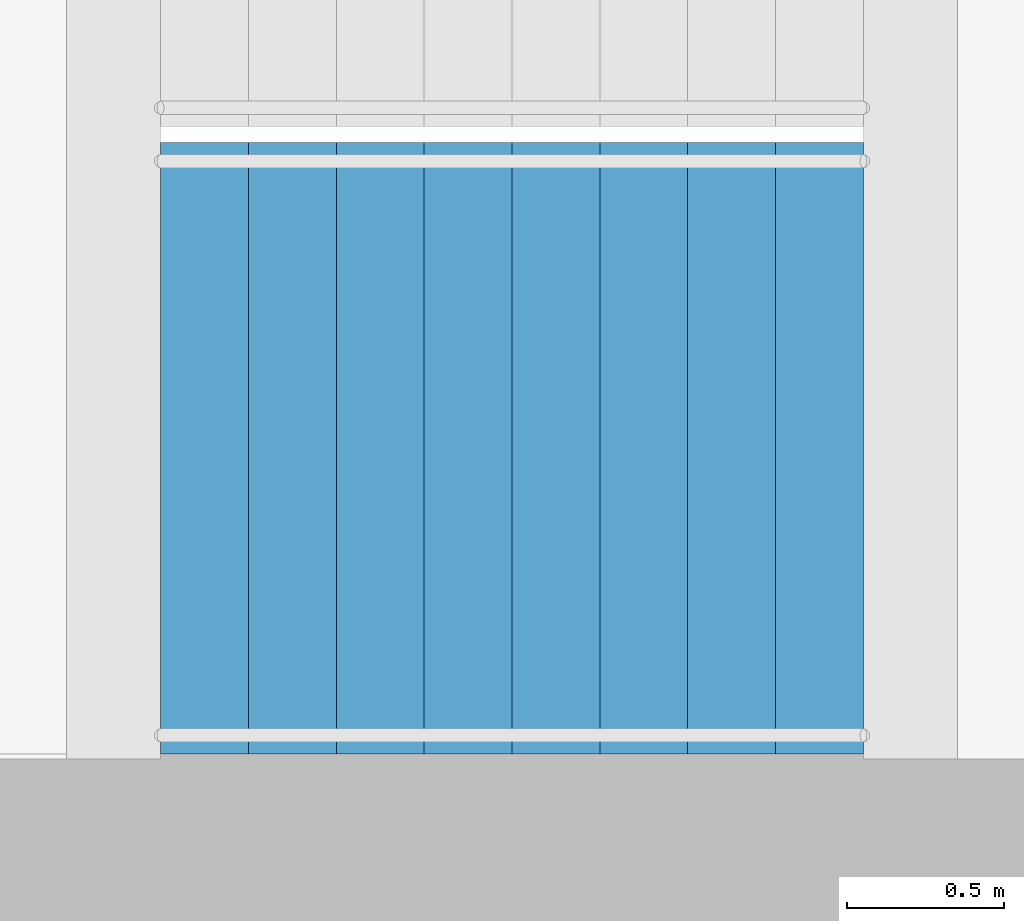
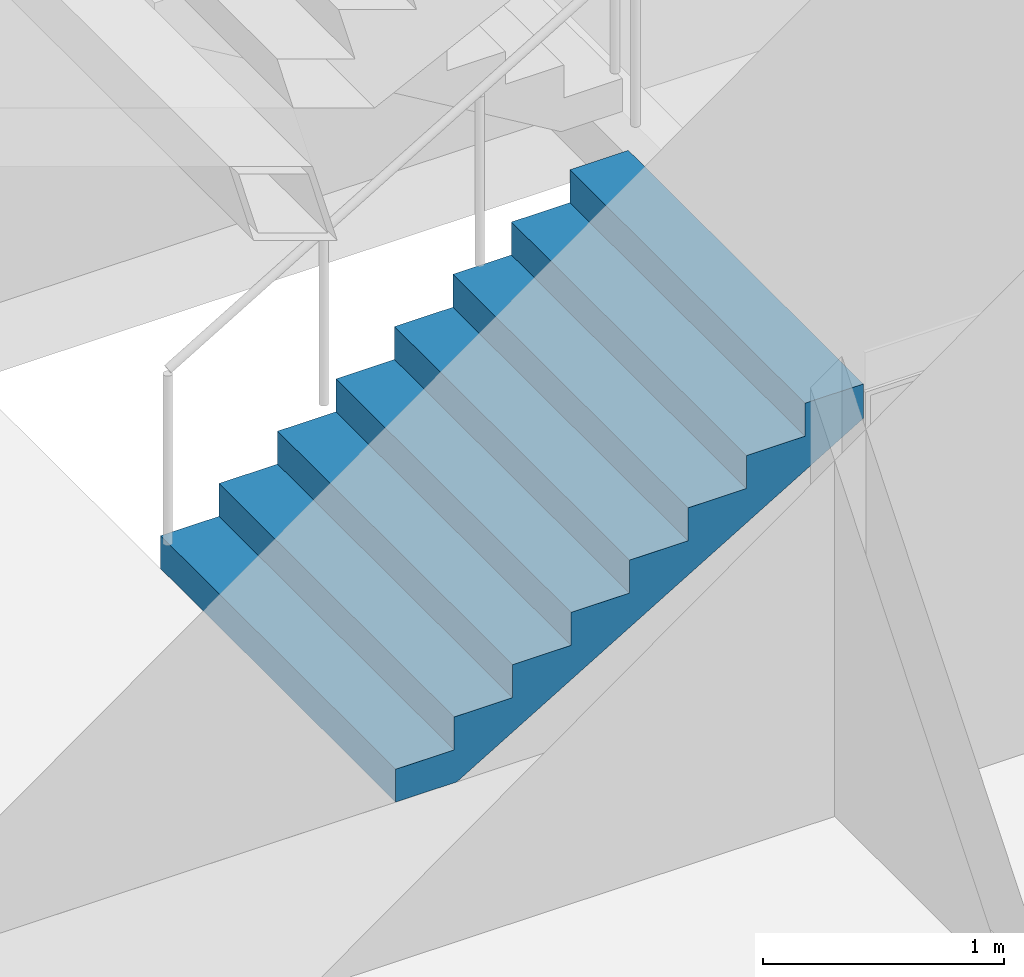
# One storey, part 23 of 57: 1 stair flight, 1 element without a shape of its own.
"""IFC4 building model written with IfcOpenShell, lengths in metres."""

from ifc_helpers import new_model, si_unit, direction, frame, origin, place, context, subcontext, project, spatial, triangles, material, type_object, element, aggregate, save


model = new_model("IFC4")

# Units and contexts
model_context = context("Model", 3, precision=1e-05, world=origin(), true_north=direction((0.0, 1.0)))
body_context = subcontext(model_context, "Body", "Model", "MODEL_VIEW")
ifc_project = project(units=[si_unit("LENGTHUNIT", "METRE"), si_unit("AREAUNIT", "SQUARE_METRE"), si_unit("VOLUMEUNIT", "CUBIC_METRE"), si_unit("PLANEANGLEUNIT", "RADIAN"), si_unit("MASSUNIT", "GRAM", prefix="KILO")], contexts=[model_context])

# Site, building, storey
site_placement = place(None, origin())
site = spatial("IfcSite", under=ifc_project, at=site_placement, CompositionType="ELEMENT")
building_placement = place(site_placement, origin())
building = spatial("IfcBuilding", under=site, at=building_placement, Name="Orbita Commons", CompositionType="ELEMENT")
storey_placement = place(building_placement, origin())
storey = spatial("IfcBuildingStorey", under=building, at=storey_placement, Name="L00", CompositionType="ELEMENT", Elevation=0.0)

# Stair, stair flight
ifc_material_1 = material(Name="Precast concrete C40/50", Category="concrete")
stair_type = type_object("IfcStairType", Name="Exit stair S1 4 flights 9 risers 167", PredefinedType="HALF_TURN_STAIR", material=ifc_material_1)
stair_placement = place(storey_placement, origin())
stair = element("IfcStair", 1, at=stair_placement, inside=storey, type_object=stair_type, Name="Exit stair S1 L00", PredefinedType="HALF_TURN_STAIR")
ifc_material_2 = material(Name="Precast concrete C40/50", Category="concrete")
stair_flight_type = type_object("IfcStairFlightType", Name="Stair flight 9 risers 167 x 280", PredefinedType="STRAIGHT", material=ifc_material_2)
stair_flight_placement = place(storey_placement, frame((20.449951171875, 27.27490234375, 0.0), z_axis=(0.0, 0.0, 1.0), x_axis=(1.0, 0.0, 0.0)))
stair_flight = element("IfcStairFlight", 2, at=stair_flight_placement, type_object=stair_flight_type, Name="S1 flight 1", NumberOfRisers=9, NumberOfTreads=8, PredefinedType="STRAIGHT", RiserHeight=0.166666667, TreadLength=0.28, context=body_context, shape_type="Tessellation", body=[
    triangles([(0.0, 0.974976, 0.0), (0.0, 0.974976, 0.020833), (0.0, 0.81248, 0.020833), (0.0, 0.81248, 0.0), (0.0, 0.649984, 0.020833), (0.0, 0.649984, 0.0), (0.0, 0.487488, 0.020833), (0.0, 0.487488, 0.0), (0.0, 0.324992, 0.020833), (0.0, 0.324992, 0.0), (0.0, 0.162496, 0.020833), (0.0, 0.162496, 0.0), (0.0, 0.0, 0.020833), (0.0, 0.0, 0.0), (0.0, -0.162496, 0.020833), (0.0, -0.162496, 0.0), (0.0, -0.324992, 0.020833), (0.0, -0.324992, 0.0), (0.0, -0.487488, 0.020833), (0.0, -0.487488, 0.0), (0.0, -0.649984, 0.020833), (0.0, -0.649984, 0.0), (0.0, -0.81248, 0.020833), (0.0, -0.81248, 0.0), (0.0, -0.974976, 0.020833), (0.0, -0.974976, 0.0), (0.0, 0.974976, 0.041667), (0.0, 0.81248, 0.041667), (0.0, 0.649984, 0.041667), (0.0, 0.487488, 0.041667), (0.0, 0.324992, 0.041667), (0.0, 0.162496, 0.041667), (0.0, 0.0, 0.041667), (0.0, -0.162496, 0.041667), (0.0, -0.324992, 0.041667), (0.0, -0.487488, 0.041667), (0.0, -0.649984, 0.041667), (0.0, -0.81248, 0.041667), (0.0, -0.974976, 0.041667), (0.0, 0.974976, 0.0625), (0.0, 0.81248, 0.0625), (0.0, 0.649984, 0.0625), (0.0, 0.487488, 0.0625), (0.0, 0.324992, 0.0625), (0.0, 0.162496, 0.0625), (0.0, 0.0, 0.0625), (0.0, -0.162496, 0.0625), (0.0, -0.324992, 0.0625), (0.0, -0.487488, 0.0625), (0.0, -0.649984, 0.0625), (0.0, -0.81248, 0.0625), (0.0, -0.974976, 0.0625), (0.0, 0.974976, 0.083333), (0.0, 0.81248, 0.083333), (0.0, 0.649984, 0.083333), (0.0, 0.487488, 0.083333), (0.0, 0.324992, 0.083333), (0.0, 0.162496, 0.083333), (0.0, 0.0, 0.083333), (0.0, -0.162496, 0.083333), (0.0, -0.324992, 0.083333), (0.0, -0.487488, 0.083333), (0.0, -0.649984, 0.083333), (0.0, -0.81248, 0.083333), (0.0, -0.974976, 0.083333), (0.0, 0.974976, 0.104167), (0.0, 0.81248, 0.104167), (0.0, 0.649984, 0.104167), (0.0, 0.487488, 0.104167), (0.0, 0.324992, 0.104167), (0.0, 0.162496, 0.104167), (0.0, 0.0, 0.104167), (0.0, -0.162496, 0.104167), (0.0, -0.324992, 0.104167), (0.0, -0.487488, 0.104167), (0.0, -0.649984, 0.104167), (0.0, -0.81248, 0.104167), (0.0, -0.974976, 0.104167), (0.0, 0.974976, 0.125), (0.0, 0.81248, 0.125), (0.0, 0.649984, 0.125), (0.0, 0.487488, 0.125), (0.0, 0.324992, 0.125), (0.0, 0.162496, 0.125), (0.0, 0.0, 0.125), (0.0, -0.162496, 0.125), (0.0, -0.324992, 0.125), (0.0, -0.487488, 0.125), (0.0, -0.649984, 0.125), (0.0, -0.81248, 0.125), (0.0, -0.974976, 0.125), (0.0, 0.974976, 0.145833), (0.0, 0.81248, 0.145833), (0.0, 0.649984, 0.145833), (0.0, 0.487488, 0.145833), (0.0, 0.324992, 0.145833), (0.0, 0.162496, 0.145833), (0.0, 0.0, 0.145833), (0.0, -0.162496, 0.145833), (0.0, -0.324992, 0.145833), (0.0, -0.487488, 0.145833), (0.0, -0.649984, 0.145833), (0.0, -0.81248, 0.145833), (0.0, -0.974976, 0.145833), (0.0, 0.974976, 0.166667), (0.0, 0.81248, 0.166667), (0.0, 0.649984, 0.166667), (0.0, 0.487488, 0.166667), (0.0, 0.324992, 0.166667), (0.0, 0.162496, 0.166667), (0.0, 0.0, 0.166667), (0.0, -0.162496, 0.166667), (0.0, -0.324992, 0.166667), (0.0, -0.487488, 0.166667), (0.0, -0.649984, 0.166667), (0.0, -0.81248, 0.166667), (0.0, -0.974976, 0.166667), (0.28, 0.974976, 0.166667), (0.28, 0.81248, 0.166667), (0.28, 0.649984, 0.166667), (0.28, 0.487488, 0.166667), (0.28, 0.324992, 0.166667), (0.28, 0.162496, 0.166667), (0.28, 0.0, 0.166667), (0.28, -0.162496, 0.166667), (0.28, -0.324992, 0.166667), (0.28, -0.487488, 0.166667), (0.28, -0.649984, 0.166667), (0.28, -0.81248, 0.166667), (0.28, -0.974976, 0.166667), (0.28, 0.974976, 0.333333), (0.28, 0.81248, 0.333333), (0.28, 0.649984, 0.333333), (0.28, 0.487488, 0.333333), (0.28, 0.324992, 0.333333), (0.28, 0.162496, 0.333333), (0.28, 0.0, 0.333333), (0.28, -0.162496, 0.333333), (0.28, -0.324992, 0.333333), (0.28, -0.487488, 0.333333), (0.28, -0.649984, 0.333333), (0.28, -0.81248, 0.333333), (0.28, -0.974976, 0.333333), (0.56, 0.974976, 0.333333), (0.56, 0.81248, 0.333333), (0.56, 0.649984, 0.333333), (0.56, 0.487488, 0.333333), (0.56, 0.324992, 0.333333), (0.56, 0.162496, 0.333333), (0.56, 0.0, 0.333333), (0.56, -0.162496, 0.333333), (0.56, -0.324992, 0.333333), (0.56, -0.487488, 0.333333), (0.56, -0.649984, 0.333333), (0.56, -0.81248, 0.333333), (0.56, -0.974976, 0.333333), (0.56, 0.974976, 0.5), (0.56, 0.81248, 0.5), (0.56, 0.649984, 0.5), (0.56, 0.487488, 0.5), (0.56, 0.324992, 0.5), (0.56, 0.162496, 0.5), (0.56, 0.0, 0.5), (0.56, -0.162496, 0.5), (0.56, -0.324992, 0.5), (0.56, -0.487488, 0.5), (0.56, -0.649984, 0.5), (0.56, -0.81248, 0.5), (0.56, -0.974976, 0.5), (0.84, 0.974976, 0.5), (0.84, 0.81248, 0.5), (0.84, 0.649984, 0.5), (0.84, 0.487488, 0.5), (0.84, 0.324992, 0.5), (0.84, 0.162496, 0.5), (0.84, 0.0, 0.5), (0.84, -0.162496, 0.5), (0.84, -0.324992, 0.5), (0.84, -0.487488, 0.5), (0.84, -0.649984, 0.5), (0.84, -0.81248, 0.5), (0.84, -0.974976, 0.5), (0.84, 0.974976, 0.666667), (0.84, 0.81248, 0.666667), (0.84, 0.649984, 0.666667), (0.84, 0.487488, 0.666667), (0.84, 0.324992, 0.666667), (0.84, 0.162496, 0.666667), (0.84, 0.0, 0.666667), (0.84, -0.162496, 0.666667), (0.84, -0.324992, 0.666667), (0.84, -0.487488, 0.666667), (0.84, -0.649984, 0.666667), (0.84, -0.81248, 0.666667), (0.84, -0.974976, 0.666667), (1.12, 0.974976, 0.666667), (1.12, 0.81248, 0.666667), (1.12, 0.649984, 0.666667), (1.12, 0.487488, 0.666667), (1.12, 0.324992, 0.666667), (1.12, 0.162496, 0.666667), (1.12, 0.0, 0.666667), (1.12, -0.162496, 0.666667), (1.12, -0.324992, 0.666667), (1.12, -0.487488, 0.666667), (1.12, -0.649984, 0.666667), (1.12, -0.81248, 0.666667), (1.12, -0.974976, 0.666667), (1.12, 0.974976, 0.833333), (1.12, 0.81248, 0.833333), (1.12, 0.649984, 0.833333), (1.12, 0.487488, 0.833333), (1.12, 0.324992, 0.833333), (1.12, 0.162496, 0.833333), (1.12, 0.0, 0.833333), (1.12, -0.162496, 0.833333), (1.12, -0.324992, 0.833333), (1.12, -0.487488, 0.833333), (1.12, -0.649984, 0.833333), (1.12, -0.81248, 0.833333), (1.12, -0.974976, 0.833333), (1.4, 0.974976, 0.833333), (1.4, 0.81248, 0.833333), (1.4, 0.649984, 0.833333), (1.4, 0.487488, 0.833333), (1.4, 0.324992, 0.833333), (1.4, 0.162496, 0.833333), (1.4, 0.0, 0.833333), (1.4, -0.162496, 0.833333), (1.4, -0.324992, 0.833333), (1.4, -0.487488, 0.833333), (1.4, -0.649984, 0.833333), (1.4, -0.81248, 0.833333), (1.4, -0.974976, 0.833333), (1.4, 0.974976, 1.0), (1.4, 0.81248, 1.0), (1.4, 0.649984, 1.0), (1.4, 0.487488, 1.0), (1.4, 0.324992, 1.0), (1.4, 0.162496, 1.0), (1.4, 0.0, 1.0), (1.4, -0.162496, 1.0), (1.4, -0.324992, 1.0), (1.4, -0.487488, 1.0), (1.4, -0.649984, 1.0), (1.4, -0.81248, 1.0), (1.4, -0.974976, 1.0), (1.68, 0.974976, 1.0), (1.68, 0.81248, 1.0), (1.68, 0.649984, 1.0), (1.68, 0.487488, 1.0), (1.68, 0.324992, 1.0), (1.68, 0.162496, 1.0), (1.68, 0.0, 1.0), (1.68, -0.162496, 1.0), (1.68, -0.324992, 1.0), (1.68, -0.487488, 1.0), (1.68, -0.649984, 1.0), (1.68, -0.81248, 1.0), (1.68, -0.974976, 1.0), (1.68, 0.974976, 1.166667), (1.68, 0.81248, 1.166667), (1.68, 0.649984, 1.166667), (1.68, 0.487488, 1.166667), (1.68, 0.324992, 1.166667), (1.68, 0.162496, 1.166667), (1.68, 0.0, 1.166667), (1.68, -0.162496, 1.166667), (1.68, -0.324992, 1.166667), (1.68, -0.487488, 1.166667), (1.68, -0.649984, 1.166667), (1.68, -0.81248, 1.166667), (1.68, -0.974976, 1.166667), (1.96, 0.974976, 1.166667), (1.96, 0.81248, 1.166667), (1.96, 0.649984, 1.166667), (1.96, 0.487488, 1.166667), (1.96, 0.324992, 1.166667), (1.96, 0.162496, 1.166667), (1.96, 0.0, 1.166667), (1.96, -0.162496, 1.166667), (1.96, -0.324992, 1.166667), (1.96, -0.487488, 1.166667), (1.96, -0.649984, 1.166667), (1.96, -0.81248, 1.166667), (1.96, -0.974976, 1.166667), (1.96, 0.974976, 1.333333), (1.96, 0.81248, 1.333333), (1.96, 0.649984, 1.333333), (1.96, 0.487488, 1.333333), (1.96, 0.324992, 1.333333), (1.96, 0.162496, 1.333333), (1.96, 0.0, 1.333333), (1.96, -0.162496, 1.333333), (1.96, -0.324992, 1.333333), (1.96, -0.487488, 1.333333), (1.96, -0.649984, 1.333333), (1.96, -0.81248, 1.333333), (1.96, -0.974976, 1.333333), (2.24, 0.974976, 1.333333), (2.24, 0.81248, 1.333333), (2.24, 0.649984, 1.333333), (2.24, 0.487488, 1.333333), (2.24, 0.324992, 1.333333), (2.24, 0.162496, 1.333333), (2.24, 0.0, 1.333333), (2.24, -0.162496, 1.333333), (2.24, -0.324992, 1.333333), (2.24, -0.487488, 1.333333), (2.24, -0.649984, 1.333333), (2.24, -0.81248, 1.333333), (2.24, -0.974976, 1.333333), (2.24, 0.974976, 1.311527), (2.24, 0.81248, 1.311527), (2.24, 0.649984, 1.311527), (2.24, 0.487488, 1.311527), (2.24, 0.324992, 1.311527), (2.24, 0.162496, 1.311527), (2.24, 0.0, 1.311527), (2.24, -0.162496, 1.311527), (2.24, -0.324992, 1.311527), (2.24, -0.487488, 1.311527), (2.24, -0.649984, 1.311527), (2.24, -0.81248, 1.311527), (2.24, -0.974976, 1.311527), (2.24, 0.974976, 1.289721), (2.24, 0.81248, 1.289721), (2.24, 0.649984, 1.289721), (2.24, 0.487488, 1.289721), (2.24, 0.324992, 1.289721), (2.24, 0.162496, 1.289721), (2.24, 0.0, 1.289721), (2.24, -0.162496, 1.289721), (2.24, -0.324992, 1.289721), (2.24, -0.487488, 1.289721), (2.24, -0.649984, 1.289721), (2.24, -0.81248, 1.289721), (2.24, -0.974976, 1.289721), (2.24, 0.974976, 1.267915), (2.24, 0.81248, 1.267915), (2.24, 0.649984, 1.267915), (2.24, 0.487488, 1.267915), (2.24, 0.324992, 1.267915), (2.24, 0.162496, 1.267915), (2.24, 0.0, 1.267915), (2.24, -0.162496, 1.267915), (2.24, -0.324992, 1.267915), (2.24, -0.487488, 1.267915), (2.24, -0.649984, 1.267915), (2.24, -0.81248, 1.267915), (2.24, -0.974976, 1.267915), (2.24, 0.974976, 1.246109), (2.24, 0.81248, 1.246109), (2.24, 0.649984, 1.246109), (2.24, 0.487488, 1.246109), (2.24, 0.324992, 1.246109), (2.24, 0.162496, 1.246109), (2.24, 0.0, 1.246109), (2.24, -0.162496, 1.246109), (2.24, -0.324992, 1.246109), (2.24, -0.487488, 1.246109), (2.24, -0.649984, 1.246109), (2.24, -0.81248, 1.246109), (2.24, -0.974976, 1.246109), (2.24, 0.974976, 1.224303), (2.24, 0.81248, 1.224303), (2.24, 0.649984, 1.224303), (2.24, 0.487488, 1.224303), (2.24, 0.324992, 1.224303), (2.24, 0.162496, 1.224303), (2.24, 0.0, 1.224303), (2.24, -0.162496, 1.224303), (2.24, -0.324992, 1.224303), (2.24, -0.487488, 1.224303), (2.24, -0.649984, 1.224303), (2.24, -0.81248, 1.224303), (2.24, -0.974976, 1.224303), (2.24, 0.974976, 1.202497), (2.24, 0.81248, 1.202497), (2.24, 0.649984, 1.202497), (2.24, 0.487488, 1.202497), (2.24, 0.324992, 1.202497), (2.24, 0.162496, 1.202497), (2.24, 0.0, 1.202497), (2.24, -0.162496, 1.202497), (2.24, -0.324992, 1.202497), (2.24, -0.487488, 1.202497), (2.24, -0.649984, 1.202497), (2.24, -0.81248, 1.202497), (2.24, -0.974976, 1.202497), (2.24, 0.974976, 1.180691), (2.24, 0.81248, 1.180691), (2.24, 0.649984, 1.180691), (2.24, 0.487488, 1.180691), (2.24, 0.324992, 1.180691), (2.24, 0.162496, 1.180691), (2.24, 0.0, 1.180691), (2.24, -0.162496, 1.180691), (2.24, -0.324992, 1.180691), (2.24, -0.487488, 1.180691), (2.24, -0.649984, 1.180691), (2.24, -0.81248, 1.180691), (2.24, -0.974976, 1.180691), (2.24, 0.974976, 1.158885), (2.24, 0.81248, 1.158885), (2.24, 0.649984, 1.158885), (2.24, 0.487488, 1.158885), (2.24, 0.324992, 1.158885), (2.24, 0.162496, 1.158885), (2.24, 0.0, 1.158885), (2.24, -0.162496, 1.158885), (2.24, -0.324992, 1.158885), (2.24, -0.487488, 1.158885), (2.24, -0.649984, 1.158885), (2.24, -0.81248, 1.158885), (2.24, -0.974976, 1.158885), (0.293073, 0.974976, 0.0), (0.293073, 0.81248, 0.0), (0.293073, 0.649984, 0.0), (0.293073, 0.487488, 0.0), (0.293073, 0.324992, 0.0), (0.293073, 0.162496, 0.0), (0.293073, 0.0, 0.0), (0.293073, -0.162496, 0.0), (0.293073, -0.324992, 0.0), (0.293073, -0.487488, 0.0), (0.293073, -0.649984, 0.0), (0.293073, -0.81248, 0.0), (0.293073, -0.974976, 0.0)], [[3, 2, 1], [4, 3, 1], [5, 3, 4], [6, 5, 4], [7, 5, 6], [8, 7, 6], [9, 7, 8], [10, 9, 8], [11, 9, 10], [12, 11, 10], [13, 11, 12], [14, 13, 12], [15, 13, 14], [16, 15, 14], [17, 15, 16], [18, 17, 16], [19, 17, 18], [20, 19, 18], [21, 19, 20], [22, 21, 20], [23, 21, 22], [24, 23, 22], [25, 23, 24], [26, 25, 24], [28, 27, 2], [3, 28, 2], [29, 28, 3], [5, 29, 3], [30, 29, 5], [7, 30, 5], [31, 30, 7], [9, 31, 7], [32, 31, 9], [11, 32, 9], [33, 32, 11], [13, 33, 11], [34, 33, 13], [15, 34, 13], [35, 34, 15], [17, 35, 15], [36, 35, 17], [19, 36, 17], [37, 36, 19], [21, 37, 19], [38, 37, 21], [23, 38, 21], [39, 38, 23], [25, 39, 23], [41, 40, 27], [28, 41, 27], [42, 41, 28], [29, 42, 28], [43, 42, 29], [30, 43, 29], [44, 43, 30], [31, 44, 30], [45, 44, 31], [32, 45, 31], [46, 45, 32], [33, 46, 32], [47, 46, 33], [34, 47, 33], [48, 47, 34], [35, 48, 34], [49, 48, 35], [36, 49, 35], [50, 49, 36], [37, 50, 36], [51, 50, 37], [38, 51, 37], [52, 51, 38], [39, 52, 38], [54, 53, 40], [41, 54, 40], [55, 54, 41], [42, 55, 41], [56, 55, 42], [43, 56, 42], [57, 56, 43], [44, 57, 43], [58, 57, 44], [45, 58, 44], [59, 58, 45], [46, 59, 45], [60, 59, 46], [47, 60, 46], [61, 60, 47], [48, 61, 47], [62, 61, 48], [49, 62, 48], [63, 62, 49], [50, 63, 49], [64, 63, 50], [51, 64, 50], [65, 64, 51], [52, 65, 51], [67, 66, 53], [54, 67, 53], [68, 67, 54], [55, 68, 54], [69, 68, 55], [56, 69, 55], [70, 69, 56], [57, 70, 56], [71, 70, 57], [58, 71, 57], [72, 71, 58], [59, 72, 58], [73, 72, 59], [60, 73, 59], [74, 73, 60], [61, 74, 60], [75, 74, 61], [62, 75, 61], [76, 75, 62], [63, 76, 62], [77, 76, 63], [64, 77, 63], [78, 77, 64], [65, 78, 64], [80, 79, 66], [67, 80, 66], [81, 80, 67], [68, 81, 67], [82, 81, 68], [69, 82, 68], [83, 82, 69], [70, 83, 69], [84, 83, 70], [71, 84, 70], [85, 84, 71], [72, 85, 71], [86, 85, 72], [73, 86, 72], [87, 86, 73], [74, 87, 73], [88, 87, 74], [75, 88, 74], [89, 88, 75], [76, 89, 75], [90, 89, 76], [77, 90, 76], [91, 90, 77], [78, 91, 77], [93, 92, 79], [80, 93, 79], [94, 93, 80], [81, 94, 80], [95, 94, 81], [82, 95, 81], [96, 95, 82], [83, 96, 82], [97, 96, 83], [84, 97, 83], [98, 97, 84], [85, 98, 84], [99, 98, 85], [86, 99, 85], [100, 99, 86], [87, 100, 86], [101, 100, 87], [88, 101, 87], [102, 101, 88], [89, 102, 88], [103, 102, 89], [90, 103, 89], [104, 103, 90], [91, 104, 90], [106, 105, 92], [93, 106, 92], [107, 106, 93], [94, 107, 93], [108, 107, 94], [95, 108, 94], [109, 108, 95], [96, 109, 95], [110, 109, 96], [97, 110, 96], [111, 110, 97], [98, 111, 97], [112, 111, 98], [99, 112, 98], [113, 112, 99], [100, 113, 99], [114, 113, 100], [101, 114, 100], [115, 114, 101], [102, 115, 101], [116, 115, 102], [103, 116, 102], [117, 116, 103], [104, 117, 103], [119, 118, 105], [106, 119, 105], [120, 119, 106], [107, 120, 106], [121, 120, 107], [108, 121, 107], [122, 121, 108], [109, 122, 108], [123, 122, 109], [110, 123, 109], [124, 123, 110], [111, 124, 110], [125, 124, 111], [112, 125, 111], [126, 125, 112], [113, 126, 112], [127, 126, 113], [114, 127, 113], [128, 127, 114], [115, 128, 114], [129, 128, 115], [116, 129, 115], [130, 129, 116], [117, 130, 116], [132, 131, 118], [119, 132, 118], [133, 132, 119], [120, 133, 119], [134, 133, 120], [121, 134, 120], [135, 134, 121], [122, 135, 121], [136, 135, 122], [123, 136, 122], [137, 136, 123], [124, 137, 123], [138, 137, 124], [125, 138, 124], [139, 138, 125], [126, 139, 125], [140, 139, 126], [127, 140, 126], [141, 140, 127], [128, 141, 127], [142, 141, 128], [129, 142, 128], [143, 142, 129], [130, 143, 129], [145, 144, 131], [132, 145, 131], [146, 145, 132], [133, 146, 132], [147, 146, 133], [134, 147, 133], [148, 147, 134], [135, 148, 134], [149, 148, 135], [136, 149, 135], [150, 149, 136], [137, 150, 136], [151, 150, 137], [138, 151, 137], [152, 151, 138], [139, 152, 138], [153, 152, 139], [140, 153, 139], [154, 153, 140], [141, 154, 140], [155, 154, 141], [142, 155, 141], [156, 155, 142], [143, 156, 142], [158, 157, 144], [145, 158, 144], [159, 158, 145], [146, 159, 145], [160, 159, 146], [147, 160, 146], [161, 160, 147], [148, 161, 147], [162, 161, 148], [149, 162, 148], [163, 162, 149], [150, 163, 149], [164, 163, 150], [151, 164, 150], [165, 164, 151], [152, 165, 151], [166, 165, 152], [153, 166, 152], [167, 166, 153], [154, 167, 153], [168, 167, 154], [155, 168, 154], [169, 168, 155], [156, 169, 155], [171, 170, 157], [158, 171, 157], [172, 171, 158], [159, 172, 158], [173, 172, 159], [160, 173, 159], [174, 173, 160], [161, 174, 160], [175, 174, 161], [162, 175, 161], [176, 175, 162], [163, 176, 162], [177, 176, 163], [164, 177, 163], [178, 177, 164], [165, 178, 164], [179, 178, 165], [166, 179, 165], [180, 179, 166], [167, 180, 166], [181, 180, 167], [168, 181, 167], [182, 181, 168], [169, 182, 168], [184, 183, 170], [171, 184, 170], [185, 184, 171], [172, 185, 171], [186, 185, 172], [173, 186, 172], [187, 186, 173], [174, 187, 173], [188, 187, 174], [175, 188, 174], [189, 188, 175], [176, 189, 175], [190, 189, 176], [177, 190, 176], [191, 190, 177], [178, 191, 177], [192, 191, 178], [179, 192, 178], [193, 192, 179], [180, 193, 179], [194, 193, 180], [181, 194, 180], [195, 194, 181], [182, 195, 181], [197, 196, 183], [184, 197, 183], [198, 197, 184], [185, 198, 184], [199, 198, 185], [186, 199, 185], [200, 199, 186], [187, 200, 186], [201, 200, 187], [188, 201, 187], [202, 201, 188], [189, 202, 188], [203, 202, 189], [190, 203, 189], [204, 203, 190], [191, 204, 190], [205, 204, 191], [192, 205, 191], [206, 205, 192], [193, 206, 192], [207, 206, 193], [194, 207, 193], [208, 207, 194], [195, 208, 194], [210, 209, 196], [197, 210, 196], [211, 210, 197], [198, 211, 197], [212, 211, 198], [199, 212, 198], [213, 212, 199], [200, 213, 199], [214, 213, 200], [201, 214, 200], [215, 214, 201], [202, 215, 201], [216, 215, 202], [203, 216, 202], [217, 216, 203], [204, 217, 203], [218, 217, 204], [205, 218, 204], [219, 218, 205], [206, 219, 205], [220, 219, 206], [207, 220, 206], [221, 220, 207], [208, 221, 207], [223, 222, 209], [210, 223, 209], [224, 223, 210], [211, 224, 210], [225, 224, 211], [212, 225, 211], [226, 225, 212], [213, 226, 212], [227, 226, 213], [214, 227, 213], [228, 227, 214], [215, 228, 214], [229, 228, 215], [216, 229, 215], [230, 229, 216], [217, 230, 216], [231, 230, 217], [218, 231, 217], [232, 231, 218], [219, 232, 218], [233, 232, 219], [220, 233, 219], [234, 233, 220], [221, 234, 220], [236, 235, 222], [223, 236, 222], [237, 236, 223], [224, 237, 223], [238, 237, 224], [225, 238, 224], [239, 238, 225], [226, 239, 225], [240, 239, 226], [227, 240, 226], [241, 240, 227], [228, 241, 227], [242, 241, 228], [229, 242, 228], [243, 242, 229], [230, 243, 229], [244, 243, 230], [231, 244, 230], [245, 244, 231], [232, 245, 231], [246, 245, 232], [233, 246, 232], [247, 246, 233], [234, 247, 233], [249, 248, 235], [236, 249, 235], [250, 249, 236], [237, 250, 236], [251, 250, 237], [238, 251, 237], [252, 251, 238], [239, 252, 238], [253, 252, 239], [240, 253, 239], [254, 253, 240], [241, 254, 240], [255, 254, 241], [242, 255, 241], [256, 255, 242], [243, 256, 242], [257, 256, 243], [244, 257, 243], [258, 257, 244], [245, 258, 244], [259, 258, 245], [246, 259, 245], [260, 259, 246], [247, 260, 246], [262, 261, 248], [249, 262, 248], [263, 262, 249], [250, 263, 249], [264, 263, 250], [251, 264, 250], [265, 264, 251], [252, 265, 251], [266, 265, 252], [253, 266, 252], [267, 266, 253], [254, 267, 253], [268, 267, 254], [255, 268, 254], [269, 268, 255], [256, 269, 255], [270, 269, 256], [257, 270, 256], [271, 270, 257], [258, 271, 257], [272, 271, 258], [259, 272, 258], [273, 272, 259], [260, 273, 259], [275, 274, 261], [262, 275, 261], [276, 275, 262], [263, 276, 262], [277, 276, 263], [264, 277, 263], [278, 277, 264], [265, 278, 264], [279, 278, 265], [266, 279, 265], [280, 279, 266], [267, 280, 266], [281, 280, 267], [268, 281, 267], [282, 281, 268], [269, 282, 268], [283, 282, 269], [270, 283, 269], [284, 283, 270], [271, 284, 270], [285, 284, 271], [272, 285, 271], [286, 285, 272], [273, 286, 272], [288, 287, 274], [275, 288, 274], [289, 288, 275], [276, 289, 275], [290, 289, 276], [277, 290, 276], [291, 290, 277], [278, 291, 277], [292, 291, 278], [279, 292, 278], [293, 292, 279], [280, 293, 279], [294, 293, 280], [281, 294, 280], [295, 294, 281], [282, 295, 281], [296, 295, 282], [283, 296, 282], [297, 296, 283], [284, 297, 283], [298, 297, 284], [285, 298, 284], [299, 298, 285], [286, 299, 285], [301, 300, 287], [288, 301, 287], [302, 301, 288], [289, 302, 288], [303, 302, 289], [290, 303, 289], [304, 303, 290], [291, 304, 290], [305, 304, 291], [292, 305, 291], [306, 305, 292], [293, 306, 292], [307, 306, 293], [294, 307, 293], [308, 307, 294], [295, 308, 294], [309, 308, 295], [296, 309, 295], [310, 309, 296], [297, 310, 296], [311, 310, 297], [298, 311, 297], [312, 311, 298], [299, 312, 298], [314, 313, 300], [301, 314, 300], [315, 314, 301], [302, 315, 301], [316, 315, 302], [303, 316, 302], [317, 316, 303], [304, 317, 303], [318, 317, 304], [305, 318, 304], [319, 318, 305], [306, 319, 305], [320, 319, 306], [307, 320, 306], [321, 320, 307], [308, 321, 307], [322, 321, 308], [309, 322, 308], [323, 322, 309], [310, 323, 309], [324, 323, 310], [311, 324, 310], [325, 324, 311], [312, 325, 311], [327, 326, 313], [314, 327, 313], [328, 327, 314], [315, 328, 314], [329, 328, 315], [316, 329, 315], [330, 329, 316], [317, 330, 316], [331, 330, 317], [318, 331, 317], [332, 331, 318], [319, 332, 318], [333, 332, 319], [320, 333, 319], [334, 333, 320], [321, 334, 320], [335, 334, 321], [322, 335, 321], [336, 335, 322], [323, 336, 322], [337, 336, 323], [324, 337, 323], [338, 337, 324], [325, 338, 324], [340, 339, 326], [327, 340, 326], [341, 340, 327], [328, 341, 327], [342, 341, 328], [329, 342, 328], [343, 342, 329], [330, 343, 329], [344, 343, 330], [331, 344, 330], [345, 344, 331], [332, 345, 331], [346, 345, 332], [333, 346, 332], [347, 346, 333], [334, 347, 333], [348, 347, 334], [335, 348, 334], [349, 348, 335], [336, 349, 335], [350, 349, 336], [337, 350, 336], [351, 350, 337], [338, 351, 337], [353, 352, 339], [340, 353, 339], [354, 353, 340], [341, 354, 340], [355, 354, 341], [342, 355, 341], [356, 355, 342], [343, 356, 342], [357, 356, 343], [344, 357, 343], [358, 357, 344], [345, 358, 344], [359, 358, 345], [346, 359, 345], [360, 359, 346], [347, 360, 346], [361, 360, 347], [348, 361, 347], [362, 361, 348], [349, 362, 348], [363, 362, 349], [350, 363, 349], [364, 363, 350], [351, 364, 350], [366, 365, 352], [353, 366, 352], [367, 366, 353], [354, 367, 353], [368, 367, 354], [355, 368, 354], [369, 368, 355], [356, 369, 355], [370, 369, 356], [357, 370, 356], [371, 370, 357], [358, 371, 357], [372, 371, 358], [359, 372, 358], [373, 372, 359], [360, 373, 359], [374, 373, 360], [361, 374, 360], [375, 374, 361], [362, 375, 361], [376, 375, 362], [363, 376, 362], [377, 376, 363], [364, 377, 363], [379, 378, 365], [366, 379, 365], [380, 379, 366], [367, 380, 366], [381, 380, 367], [368, 381, 367], [382, 381, 368], [369, 382, 368], [383, 382, 369], [370, 383, 369], [384, 383, 370], [371, 384, 370], [385, 384, 371], [372, 385, 371], [386, 385, 372], [373, 386, 372], [387, 386, 373], [374, 387, 373], [388, 387, 374], [375, 388, 374], [389, 388, 375], [376, 389, 375], [390, 389, 376], [377, 390, 376], [392, 391, 378], [379, 392, 378], [393, 392, 379], [380, 393, 379], [394, 393, 380], [381, 394, 380], [395, 394, 381], [382, 395, 381], [396, 395, 382], [383, 396, 382], [397, 396, 383], [384, 397, 383], [398, 397, 384], [385, 398, 384], [399, 398, 385], [386, 399, 385], [400, 399, 386], [387, 400, 386], [401, 400, 387], [388, 401, 387], [402, 401, 388], [389, 402, 388], [403, 402, 389], [390, 403, 389], [405, 404, 391], [392, 405, 391], [406, 405, 392], [393, 406, 392], [407, 406, 393], [394, 407, 393], [408, 407, 394], [395, 408, 394], [409, 408, 395], [396, 409, 395], [410, 409, 396], [397, 410, 396], [411, 410, 397], [398, 411, 397], [412, 411, 398], [399, 412, 398], [413, 412, 399], [400, 413, 399], [414, 413, 400], [401, 414, 400], [415, 414, 401], [402, 415, 401], [416, 415, 402], [403, 416, 402], [418, 417, 404], [405, 418, 404], [419, 418, 405], [406, 419, 405], [420, 419, 406], [407, 420, 406], [421, 420, 407], [408, 421, 407], [422, 421, 408], [409, 422, 408], [423, 422, 409], [410, 423, 409], [424, 423, 410], [411, 424, 410], [425, 424, 411], [412, 425, 411], [426, 425, 412], [413, 426, 412], [427, 426, 413], [414, 427, 413], [428, 427, 414], [415, 428, 414], [429, 428, 415], [416, 429, 415], [4, 1, 417], [418, 4, 417], [6, 4, 418], [419, 6, 418], [8, 6, 419], [420, 8, 419], [10, 8, 420], [421, 10, 420], [12, 10, 421], [422, 12, 421], [14, 12, 422], [423, 14, 422], [16, 14, 423], [424, 16, 423], [18, 16, 424], [425, 18, 424], [20, 18, 425], [426, 20, 425], [22, 20, 426], [427, 22, 426], [24, 22, 427], [428, 24, 427], [26, 24, 428], [429, 26, 428], [404, 417, 1], [26, 429, 416], [391, 404, 1], [26, 416, 403], [378, 391, 1], [26, 403, 390], [365, 378, 1], [26, 390, 377], [352, 365, 1], [26, 377, 364], [339, 352, 1], [26, 364, 351], [326, 339, 1], [26, 351, 338], [313, 326, 1], [26, 338, 325], [287, 300, 313], [325, 312, 299], [274, 287, 313], [325, 299, 286], [248, 261, 274], [286, 273, 260], [248, 274, 313], [325, 286, 260], [222, 235, 248], [260, 247, 234], [222, 248, 313], [325, 260, 234], [196, 209, 222], [234, 221, 208], [196, 222, 313], [325, 234, 208], [170, 183, 196], [208, 195, 182], [170, 196, 313], [325, 208, 182], [144, 157, 170], [182, 169, 156], [144, 170, 313], [325, 182, 156], [118, 131, 144], [156, 143, 130], [118, 144, 313], [325, 156, 130], [118, 313, 1], [26, 325, 130], [92, 105, 118], [130, 117, 104], [79, 92, 118], [130, 104, 91], [66, 79, 118], [130, 91, 78], [53, 66, 118], [130, 78, 65], [40, 53, 118], [130, 65, 52], [27, 40, 118], [130, 52, 39], [2, 27, 118], [130, 39, 25], [1, 2, 118], [130, 25, 26]], closed=True),
])
aggregate(stair, [stair_flight])

save(model, "model.ifc")
